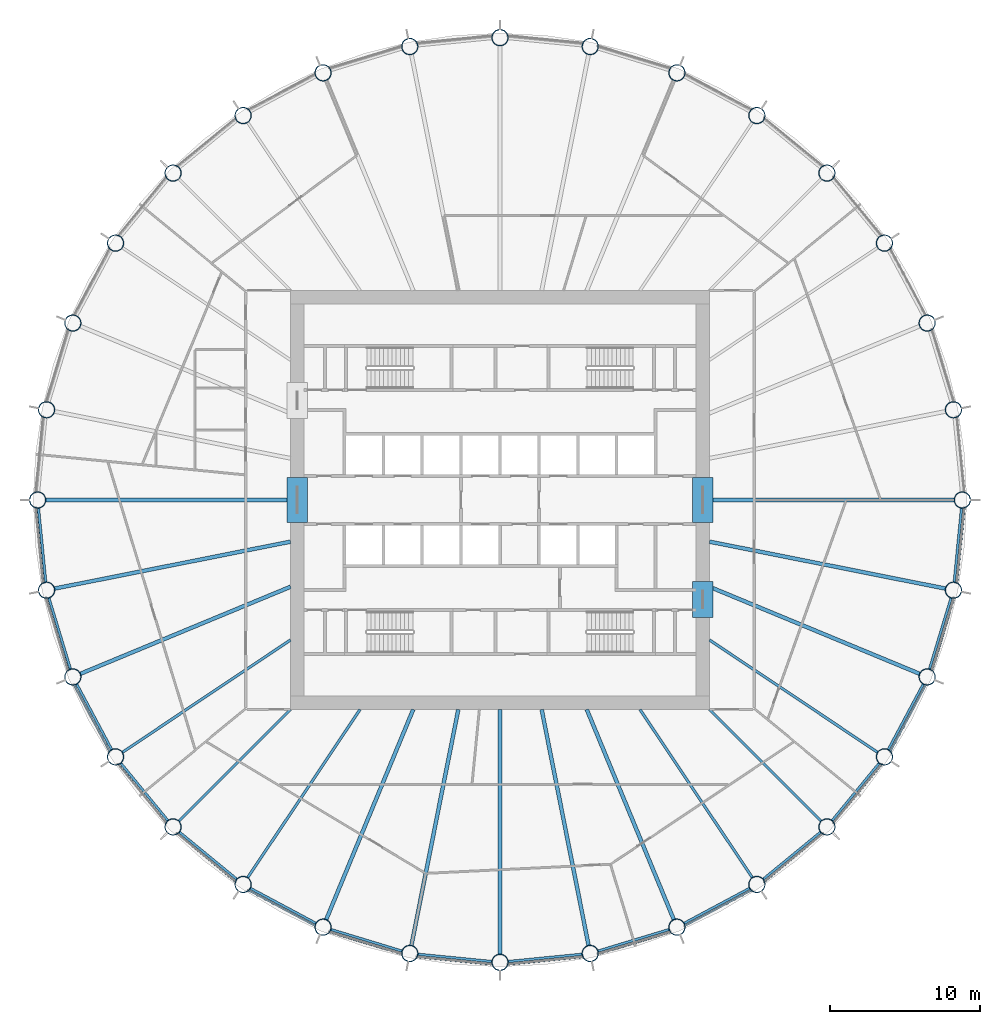
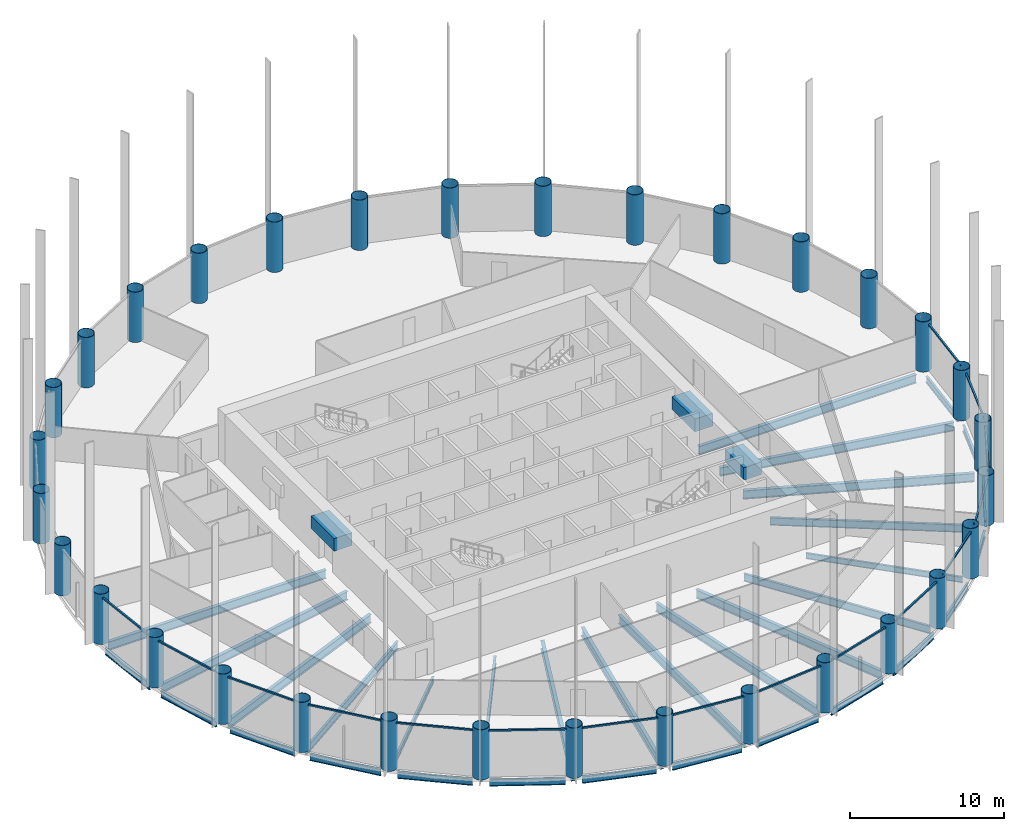
# One storey, part 1 of 9: 36 beams, 32 columns, 16 members, 16 elements without a shape of their own.
"""IFC4 building model written with IfcOpenShell, lengths in metres."""

import ifcopenshell
import ifcopenshell.guid

model = None  # the IFC model being written
_history = None  # IfcOwnerHistory: only IFC2X3 demands one
_inside = {}  # id of a spatial element -> (the spatial element, [elements in it])
_under = {}  # id of a project, library or spatial element -> (it, [spatial elements below it])
_declared = {}  # id of a project -> (the project, [libraries it declares])
_typed = {}  # id of a type object -> (the type object, [elements of that type])
_made_of = {}  # id of a material, layer set ... -> (it, [elements and type objects made of it])


def new_model(schema):
    """Start an empty IFC model of exactly this schema.

    Asked for "IFC4X3", IfcOpenShell would pick the latest addendum, in which some entities
    have other attributes; the version numbers below select the first issue.
    IFC2X3 requires an IfcOwnerHistory on every rooted entity: one is made here for all.
    """
    global model, _history
    if schema == "IFC4X3":
        model = ifcopenshell.file(schema_version=(4, 3, 0, 0))
    else:
        model = ifcopenshell.file(schema=schema)
    _inside.clear()
    _under.clear()
    _declared.clear()
    _typed.clear()
    _made_of.clear()
    _history = None
    if model.schema == "IFC2X3":
        org = make("IfcOrganization", Name="unknown")
        user = make(
            "IfcPersonAndOrganization",
            ThePerson=make("IfcPerson", FamilyName="unknown"),
            TheOrganization=org,
        )
        app = make(
            "IfcApplication",
            ApplicationDeveloper=org,
            Version="unknown",
            ApplicationFullName="unknown",
            ApplicationIdentifier="unknown",
        )
        _history = make(
            "IfcOwnerHistory",
            OwningUser=user,
            OwningApplication=app,
            ChangeAction="ADDED",
            CreationDate=0,
        )
    return model


def make(cls, **values):
    """One entity of the class cls with the attributes given. An attribute that is None is left unset."""
    return model.create_entity(
        cls, **{name: value for name, value in values.items() if value is not None}
    )


def rooted(cls, **values):
    """An entity with a GlobalId (a new one), such as an element, a storey or a relation."""
    return make(cls, GlobalId=ifcopenshell.guid.new(), OwnerHistory=_history, **values)


def si_unit(unit_type, name, prefix=None):
    """IfcSIUnit, for example si_unit("LENGTHUNIT", "METRE", prefix="MILLI")."""
    return make("IfcSIUnit", UnitType=unit_type, Prefix=prefix, Name=name)


def assignment(units):
    """IfcUnitAssignment: the units of a project."""
    return None if units is None else make("IfcUnitAssignment", Units=units)


def point(xyz):
    """IfcCartesianPoint."""
    return None if xyz is None else make("IfcCartesianPoint", Coordinates=xyz)


def direction(xyz):
    """IfcDirection."""
    return None if xyz is None else make("IfcDirection", DirectionRatios=xyz)


def frame(location, z_axis=None, x_axis=None):
    """IfcAxis2Placement3D, a coordinate frame: its origin and axes. An axis left out is left unset."""
    return make(
        "IfcAxis2Placement3D",
        Location=point(location),
        Axis=direction(z_axis),
        RefDirection=direction(x_axis),
    )


def frame_2d(location, x_axis=None):
    """IfcAxis2Placement2D, a coordinate frame in the plane: its origin and x axis."""
    return make(
        "IfcAxis2Placement2D", Location=point(location), RefDirection=direction(x_axis)
    )


def origin():
    """The frame at (0, 0, 0) with its axes left unset."""
    return frame((0.0, 0.0, 0.0))


def origin_2d():
    """The frame at (0, 0) in the plane with its x axis left unset."""
    return frame_2d((0.0, 0.0))


def place(relative_to, where):
    """IfcLocalPlacement: puts the frame where relative to a parent placement (None: the world)."""
    return make(
        "IfcLocalPlacement", PlacementRelTo=relative_to, RelativePlacement=where
    )


def context(
    kind, dimensions, precision=None, world=None, true_north=None, identifier=None
):
    """IfcGeometricRepresentationContext, for example the 3D "Model" context."""
    return make(
        "IfcGeometricRepresentationContext",
        ContextIdentifier=identifier,
        ContextType=kind,
        CoordinateSpaceDimension=dimensions,
        Precision=precision,
        WorldCoordinateSystem=world,
        TrueNorth=true_north,
    )


def subcontext(parent, identifier, kind, view, scale=None):
    """IfcGeometricRepresentationSubContext, for example "Body" below "Model"."""
    return make(
        "IfcGeometricRepresentationSubContext",
        ContextIdentifier=identifier,
        ContextType=kind,
        ParentContext=parent,
        TargetScale=scale,
        TargetView=view,
    )


def project(units=None, contexts=None):
    """IfcProject with its units and contexts."""
    return rooted(
        "IfcProject",
        Name="project",
        RepresentationContexts=contexts,
        UnitsInContext=assignment(units),
    )


def spatial(cls, under=None, at=None, **own):
    """A site, building, storey or space (cls), placed at a placement, below another one or the project."""
    s = rooted(cls, ObjectPlacement=at, **own)
    if under is not None:
        _under.setdefault(under.id(), (under, []))[1].append(s)
    return s


def profile(cls, at=None, kind="AREA", **sizes):
    """A parametric profile (cls). Its sizes go by their IFC names, for example OverallWidth=200.0."""
    return make(cls, ProfileType=kind, Position=at, **sizes)


def rectangle(**sizes):
    """IfcRectangleProfileDef."""
    return profile("IfcRectangleProfileDef", **sizes)


def hollow_circle(**sizes):
    """IfcCircleHollowProfileDef."""
    return profile("IfcCircleHollowProfileDef", **sizes)


def i_section(**sizes):
    """IfcIShapeProfileDef."""
    return profile("IfcIShapeProfileDef", **sizes)


def extrude(swept, where, along, depth):
    """IfcExtrudedAreaSolid: the profile swept, set in the frame where, extruded along a direction by depth."""
    return make(
        "IfcExtrudedAreaSolid",
        SweptArea=swept,
        Position=where,
        ExtrudedDirection=direction(along),
        Depth=depth,
    )


def shape(context_of_items, identifier, shape_type, items):
    """IfcShapeRepresentation: the items that make up one representation, for example the "Body"."""
    return make(
        "IfcShapeRepresentation",
        ContextOfItems=context_of_items,
        RepresentationIdentifier=identifier,
        RepresentationType=shape_type,
        Items=items,
    )


def material(Name=None, Category=None):
    """IfcMaterial."""
    return make("IfcMaterial", Name=Name, Category=Category)


def material_profile(
    of_material, cross_section, Name=None, Category=None, Priority=None
):
    """IfcMaterialProfile: a cross section and its material."""
    return make(
        "IfcMaterialProfile",
        Name=Name,
        Material=of_material,
        Profile=cross_section,
        Priority=Priority,
        Category=Category,
    )


def profile_set(profiles, Name=None, composite=None):
    """IfcMaterialProfileSet."""
    return make(
        "IfcMaterialProfileSet",
        Name=Name,
        MaterialProfiles=profiles,
        CompositeProfile=composite,
    )


def made_of(thing, what):
    """Note that an element or type object is made of a material, layer set ...; save() writes the relation."""
    if what is not None:
        _made_of.setdefault(what.id(), (what, []))[1].append(thing)
    return thing


def type_object(cls, material=None, **own):
    """A type object (cls), such as IfcWallType, which elements share."""
    return made_of(rooted(cls, **own), material)


def element(
    cls,
    number,
    at=None,
    inside=None,
    cuts=None,
    type_object=None,
    material=None,
    context=None,
    identifier="Body",
    shape_type=None,
    held_by="IfcProductDefinitionShape",
    body=None,
    shapes=None,
    **own,
):
    """One element of the class cls, such as IfcWall. Its Tag is "e" and its number.

    at: its placement. inside: the storey or other place that contains it. cuts: it is an
    opening in that element (IfcRelVoidsElement). A single representation is given by context,
    identifier, shape_type and body (its items); several are given by shapes. held_by: the class
    of the entity that holds the representations. save() writes the other relations.
    """
    e = rooted(cls, Tag="e%d" % number, ObjectPlacement=at, **own)
    if body is not None:
        shapes = [shape(context, identifier, shape_type, body)]
    if shapes is not None:
        e.Representation = make(held_by, Representations=shapes)
    if inside is not None:
        _inside.setdefault(inside.id(), (inside, []))[1].append(e)
    if cuts is not None:
        rooted(
            "IfcRelVoidsElement", RelatingBuildingElement=cuts, RelatedOpeningElement=e
        )
    if type_object is not None:
        _typed.setdefault(type_object.id(), (type_object, []))[1].append(e)
    return made_of(e, material)


def aggregate(whole, parts):
    """IfcRelAggregates: a whole, such as a stair, and the parts it consists of."""
    return rooted("IfcRelAggregates", RelatingObject=whole, RelatedObjects=parts)


def save(model, path):
    """Write the relations noted so far, then the file.

    IfcRelAggregates (storeys below a building ...), IfcRelContainedInSpatialStructure (elements
    in a storey), IfcRelDefinesByType, IfcRelAssociatesMaterial and IfcRelDeclares: one each for
    every whole, place, type object, material and project.
    """
    for whole, parts in _under.values():
        aggregate(whole, parts)
    for where, things in _inside.values():
        rooted(
            "IfcRelContainedInSpatialStructure",
            RelatedElements=things,
            RelatingStructure=where,
        )
    for kind, things in _typed.values():
        rooted("IfcRelDefinesByType", RelatedObjects=things, RelatingType=kind)
    for what, things in _made_of.values():
        rooted("IfcRelAssociatesMaterial", RelatedObjects=things, RelatingMaterial=what)
    for by, libraries in _declared.values():
        rooted("IfcRelDeclares", RelatingContext=by, RelatedDefinitions=libraries)
    model.write(path)


model = new_model("IFC4")

# Units and contexts
model_context = context("Model", 3, precision=1e-05, world=origin(), true_north=direction((0.0, 1.0)))
body_context = subcontext(model_context, "Body", "Model", "MODEL_VIEW")
ifc_project = project(units=[si_unit("LENGTHUNIT", "METRE"), si_unit("AREAUNIT", "SQUARE_METRE"), si_unit("VOLUMEUNIT", "CUBIC_METRE"), si_unit("PLANEANGLEUNIT", "RADIAN"), si_unit("MASSUNIT", "GRAM", prefix="KILO")], contexts=[model_context])

# Site, building, storey
site_placement = place(None, origin())
site = spatial("IfcSite", under=ifc_project, at=site_placement, CompositionType="ELEMENT")
building_placement = place(site_placement, origin())
building = spatial("IfcBuilding", under=site, at=building_placement, Name="Corvane Civic Tower", CompositionType="ELEMENT")
storey_placement = place(building_placement, frame((0.0, 0.0, 160.0)))
storey = spatial("IfcBuildingStorey", under=building, at=storey_placement, Name="L37", CompositionType="ELEMENT", Elevation=160.0)

# Columns
ifc_material_1 = material(Name="Steel ASTM A572 Gr 50", Category="steel")
ifc_material_profile_1 = material_profile(ifc_material_1, hollow_circle(Radius=0.550048828125, WallThickness=0.031982421875, at=origin_2d()), Name="CHS1100X32")
ifc_profile_set_1 = profile_set([ifc_material_profile_1], Name="Steel ASTM A572 Gr 50")
column_type = type_object("IfcColumnType", Name="COMPOSITE COLUMN CHS1100X32", PredefinedType="COLUMN", material=ifc_profile_set_1)
for number, where, z_axis, x_axis, name in (
    (1, (0.0, 30.89990234375, 0.0), (0.0, 0.0, 1.0), (1.0, 0.0, 0.0), "COL-L37-C01"),
    (2, (6.0283203125, 30.30615234375, 0.0), (0.0, 0.0, 1.0), (1.0, 0.0, 0.0), "COL-L37-C02"),
    (3, (11.824951171875, 28.5478515625, 0.0), (0.0, 0.0, 1.0), (1.0, 0.0, 0.0), "COL-L37-C03"),
    (4, (17.167236328125, 25.6923828125, 0.0), (0.0, 0.0, 1.0), (1.0, 0.0, 0.0), "COL-L37-C04"),
    (5, (21.849609375, 21.849609375, 0.0), (0.0, 0.0, 1.0), (1.0, 0.0, 0.0), "COL-L37-C05"),
    (6, (25.6923828125, 17.167236328125, 0.0), (0.0, 0.0, 1.0), (1.0, 0.0, 0.0), "COL-L37-C06"),
    (7, (28.5478515625, 11.824951171875, 0.0), (0.0, 0.0, 1.0), (1.0, 0.0, 0.0), "COL-L37-C07"),
    (8, (30.30615234375, 6.0283203125, 0.0), (0.0, 0.0, 1.0), (1.0, 0.0, 0.0), "COL-L37-C08"),
    (9, (30.89990234375, 0.0, 0.0), (0.0, 0.0, 1.0), (1.0, 0.0, 0.0), "COL-L37-C09"),
    (10, (30.30615234375, -6.0283203125, 0.0), (0.0, 0.0, 1.0), (1.0, 0.0, 0.0), "COL-L37-C10"),
    (11, (28.5478515625, -11.824951171875, 0.0), (0.0, 0.0, 1.0), (1.0, 0.0, 0.0), "COL-L37-C11"),
    (12, (25.6923828125, -17.167236328125, 0.0), (0.0, 0.0, 1.0), (1.0, 0.0, 0.0), "COL-L37-C12"),
    (13, (21.849609375, -21.849609375, 0.0), (0.0, 0.0, 1.0), (1.0, 0.0, 0.0), "COL-L37-C13"),
    (14, (17.167236328125, -25.6923828125, 0.0), (0.0, 0.0, 1.0), (1.0, 0.0, 0.0), "COL-L37-C14"),
    (15, (11.824951171875, -28.5478515625, 0.0), (0.0, 0.0, 1.0), (1.0, 0.0, 0.0), "COL-L37-C15"),
    (16, (6.0283203125, -30.30615234375, 0.0), (0.0, 0.0, 1.0), (1.0, 0.0, 0.0), "COL-L37-C16"),
    (17, (0.0, -30.89990234375, 0.0), (0.0, 0.0, 1.0), (1.0, 0.0, 0.0), "COL-L37-C17"),
    (18, (-6.0283203125, -30.30615234375, 0.0), (0.0, 0.0, 1.0), (1.0, 0.0, 0.0), "COL-L37-C18"),
    (19, (-11.824951171875, -28.5478515625, 0.0), (0.0, 0.0, 1.0), (1.0, 0.0, 0.0), "COL-L37-C19"),
    (20, (-17.167236328125, -25.6923828125, 0.0), (0.0, 0.0, 1.0), (1.0, 0.0, 0.0), "COL-L37-C20"),
    (21, (-21.849609375, -21.849609375, 0.0), (0.0, 0.0, 1.0), (1.0, 0.0, 0.0), "COL-L37-C21"),
    (22, (-25.6923828125, -17.167236328125, 0.0), (0.0, 0.0, 1.0), (1.0, 0.0, 0.0), "COL-L37-C22"),
    (23, (-28.5478515625, -11.824951171875, 0.0), (0.0, 0.0, 1.0), (1.0, 0.0, 0.0), "COL-L37-C23"),
    (24, (-30.30615234375, -6.0283203125, 0.0), (0.0, 0.0, 1.0), (1.0, 0.0, 0.0), "COL-L37-C24"),
    (25, (-30.89990234375, 0.0, 0.0), (0.0, 0.0, 1.0), (1.0, 0.0, 0.0), "COL-L37-C25"),
    (26, (-30.30615234375, 6.0283203125, 0.0), (0.0, 0.0, 1.0), (1.0, 0.0, 0.0), "COL-L37-C26"),
    (27, (-28.5478515625, 11.824951171875, 0.0), (0.0, 0.0, 1.0), (1.0, 0.0, 0.0), "COL-L37-C27"),
    (28, (-25.6923828125, 17.167236328125, 0.0), (0.0, 0.0, 1.0), (1.0, 0.0, 0.0), "COL-L37-C28"),
    (29, (-21.849609375, 21.849609375, 0.0), (0.0, 0.0, 1.0), (1.0, 0.0, 0.0), "COL-L37-C29"),
    (30, (-17.167236328125, 25.6923828125, 0.0), (0.0, 0.0, 1.0), (1.0, 0.0, 0.0), "COL-L37-C30"),
    (31, (-11.824951171875, 28.5478515625, 0.0), (0.0, 0.0, 1.0), (1.0, 0.0, 0.0), "COL-L37-C31"),
    (32, (-6.0283203125, 30.30615234375, 0.0), (0.0, 0.0, 1.0), (1.0, 0.0, 0.0), "COL-L37-C32"),
):
    element("IfcColumn", number, at=place(storey_placement, frame(where, z_axis=z_axis, x_axis=x_axis)), inside=storey, type_object=column_type, Name=name, PredefinedType="COLUMN", context=body_context, shape_type="SweptSolid", body=[
        extrude(hollow_circle(Radius=0.550048828125, WallThickness=0.031982421875, at=origin_2d()), origin(), (0.0, 0.0, 1.0), 4.0),
    ])

# Beams
ifc_material_2 = material(Name="Concrete C60/75", Category="concrete")
ifc_material_profile_2 = material_profile(ifc_material_2, rectangle(XDim=1.35009765625, YDim=1.0, at=origin_2d()), Name="COUPLING BEAM 1350X1000")
ifc_profile_set_2 = profile_set([ifc_material_profile_2], Name="Concrete C60/75")
beam_type_1 = type_object("IfcBeamType", Name="COUPLING BEAM COUPLING BEAM 1350X1000", PredefinedType="BEAM", material=ifc_profile_set_2)
for number, where, z_axis, x_axis, name in (
    (33, (-13.550048828125, -1.5, 2.60009765625), (0.0, 1.0, 0.0), (-1.0, 0.0, 0.0), "BM-L37-cpl-CW-LW"),
    (34, (13.550048828125, -1.5, 2.60009765625), (0.0, 1.0, 0.0), (-1.0, 0.0, 0.0), "BM-L37-cpl-CW-LE"),
):
    element("IfcBeam", number, at=place(storey_placement, frame(where, z_axis=z_axis, x_axis=x_axis)), inside=storey, type_object=beam_type_1, Name=name, PredefinedType="BEAM", context=body_context, shape_type="SweptSolid", body=[
        extrude(rectangle(XDim=1.35009765625, YDim=1.0, at=origin_2d()), origin(), (0.0, 0.0, 1.0), 3.0),
    ])
beam_1_placement = place(storey_placement, frame((13.550048828125, -7.85009765625, 2.60009765625), z_axis=(0.0, 1.0, 0.0), x_axis=(-1.0, 0.0, 0.0)))
element("IfcBeam", 35, at=beam_1_placement, inside=storey, type_object=beam_type_1, Name="BM-L37-cpl-CW-ES", PredefinedType="BEAM", context=body_context, shape_type="SweptSolid", body=[
    extrude(rectangle(XDim=1.35009765625, YDim=1.0, at=origin_2d()), origin(), (0.0, 0.0, 1.0), 2.400146484375),
])
ifc_material_3 = material(Name="Steel ASTM A992 Gr 50", Category="steel")
ifc_material_profile_3 = material_profile(ifc_material_3, i_section(OverallWidth=0.165771484375, OverallDepth=0.5283203125, WebThickness=0.009765625, FlangeThickness=0.013671875, at=origin_2d()), Name="W21X50")
ifc_profile_set_3 = profile_set([ifc_material_profile_3], Name="Steel ASTM A992 Gr 50")
beam_type_2 = type_object("IfcBeamType", Name="EDGE BEAM W21X50", PredefinedType="BEAM", material=ifc_profile_set_3)
beam_2_placement = place(storey_placement, frame((30.845947265625, -0.54736328125, -0.564208984375), z_axis=(-0.09800181167, -0.995186236294, 0.0), x_axis=(0.995186236294, -0.09800181167, 0.0)))
element("IfcBeam", 36, at=beam_2_placement, inside=storey, type_object=beam_type_2, Name="BM-L37-E09", PredefinedType="BEAM", context=body_context, shape_type="SweptSolid", body=[
    extrude(i_section(OverallWidth=0.165771484375, OverallDepth=0.5283203125, WebThickness=0.009765625, FlangeThickness=0.013671875, at=origin_2d()), origin(), (0.0, 0.0, 1.0), 4.95751953125),
])
beam_3_placement = place(storey_placement, frame((30.146484375, -6.5546875, -0.564208984375), z_axis=(-0.290269821381, -0.956944842086, 0.0), x_axis=(0.956944842086, -0.290269821381, 0.0)))
element("IfcBeam", 37, at=beam_3_placement, inside=storey, type_object=beam_type_2, Name="BM-L37-E10", PredefinedType="BEAM", context=body_context, shape_type="SweptSolid", body=[
    extrude(i_section(OverallWidth=0.165771484375, OverallDepth=0.5283203125, WebThickness=0.009765625, FlangeThickness=0.013671875, at=origin_2d()), origin(), (0.0, 0.0, 1.0), 4.957275390625),
])
for number, where, z_axis, x_axis, name in (
    (38, (28.28857421875, -12.31005859375, -0.564208984375), (-0.471395763042, -0.881921784846, 0.0), (0.881921784846, -0.471395763042, 0.0), "BM-L37-E11"),
    (39, (25.343505859375, -17.59228515625, -0.564208984375), (-0.634387546532, -0.77301516208, 0.0), (0.77301516208, -0.634387546532, 0.0), "BM-L37-E12"),
    (40, (21.424560546875, -22.198486328125, -0.564208984375), (-0.77301516208, -0.634387546532, 0.0), (0.634387546532, -0.77301516208, 0.0), "BM-L37-E13"),
    (41, (16.68212890625, -25.95166015625, -0.564208984375), (-0.881921784846, -0.471395763042, 0.0), (0.471395763042, -0.881921784846, 0.0), "BM-L37-E14"),
):
    element("IfcBeam", number, at=place(storey_placement, frame(where, z_axis=z_axis, x_axis=x_axis)), inside=storey, type_object=beam_type_2, Name=name, PredefinedType="BEAM", context=body_context, shape_type="SweptSolid", body=[
        extrude(i_section(OverallWidth=0.165771484375, OverallDepth=0.5283203125, WebThickness=0.009765625, FlangeThickness=0.013671875, at=origin_2d()), origin(), (0.0, 0.0, 1.0), 4.95751953125),
    ])
beam_4_placement = place(storey_placement, frame((11.298583984375, -28.70751953125, -0.564208984375), z_axis=(-0.956944842086, -0.290269821381, 0.0), x_axis=(0.290269821381, -0.956944842086, 0.0)))
element("IfcBeam", 42, at=beam_4_placement, inside=storey, type_object=beam_type_2, Name="BM-L37-E15", PredefinedType="BEAM", context=body_context, shape_type="SweptSolid", body=[
    extrude(i_section(OverallWidth=0.165771484375, OverallDepth=0.5283203125, WebThickness=0.009765625, FlangeThickness=0.013671875, at=origin_2d()), origin(), (0.0, 0.0, 1.0), 4.957275390625),
])
for number, where, z_axis, x_axis, name in (
    (43, (5.48095703125, -30.360107421875, -0.564208984375), (-0.995186236294, -0.09800181167, 0.0), (0.09800181167, -0.995186236294, 0.0), "BM-L37-E16"),
    (44, (-0.54736328125, -30.845947265625, -0.564208984375), (-0.995186236294, 0.09800181167, 0.0), (-0.09800181167, -0.995186236294, 0.0), "BM-L37-E17"),
):
    element("IfcBeam", number, at=place(storey_placement, frame(where, z_axis=z_axis, x_axis=x_axis)), inside=storey, type_object=beam_type_2, Name=name, PredefinedType="BEAM", context=body_context, shape_type="SweptSolid", body=[
        extrude(i_section(OverallWidth=0.165771484375, OverallDepth=0.5283203125, WebThickness=0.009765625, FlangeThickness=0.013671875, at=origin_2d()), origin(), (0.0, 0.0, 1.0), 4.95751953125),
    ])
beam_5_placement = place(storey_placement, frame((-6.5546875, -30.146484375, -0.564208984375), z_axis=(-0.956944842086, 0.290269821381, 0.0), x_axis=(-0.290269821381, -0.956944842086, 0.0)))
element("IfcBeam", 45, at=beam_5_placement, inside=storey, type_object=beam_type_2, Name="BM-L37-E18", PredefinedType="BEAM", context=body_context, shape_type="SweptSolid", body=[
    extrude(i_section(OverallWidth=0.165771484375, OverallDepth=0.5283203125, WebThickness=0.009765625, FlangeThickness=0.013671875, at=origin_2d()), origin(), (0.0, 0.0, 1.0), 4.957275390625),
])
for number, where, z_axis, x_axis, name in (
    (46, (-12.31005859375, -28.28857421875, -0.564208984375), (-0.881921784846, 0.471395763042, 0.0), (-0.471395763042, -0.881921784846, 0.0), "BM-L37-E19"),
    (47, (-17.59228515625, -25.343505859375, -0.564208984375), (-0.77301516208, 0.634387546532, 0.0), (-0.634387546532, -0.77301516208, 0.0), "BM-L37-E20"),
    (48, (-22.198486328125, -21.424560546875, -0.564208984375), (-0.634387546532, 0.77301516208, 0.0), (-0.77301516208, -0.634387546532, 0.0), "BM-L37-E21"),
    (49, (-25.95166015625, -16.68212890625, -0.564208984375), (-0.471395763042, 0.881921784846, 0.0), (-0.881921784846, -0.471395763042, 0.0), "BM-L37-E22"),
):
    element("IfcBeam", number, at=place(storey_placement, frame(where, z_axis=z_axis, x_axis=x_axis)), inside=storey, type_object=beam_type_2, Name=name, PredefinedType="BEAM", context=body_context, shape_type="SweptSolid", body=[
        extrude(i_section(OverallWidth=0.165771484375, OverallDepth=0.5283203125, WebThickness=0.009765625, FlangeThickness=0.013671875, at=origin_2d()), origin(), (0.0, 0.0, 1.0), 4.95751953125),
    ])
beam_6_placement = place(storey_placement, frame((-28.70751953125, -11.298583984375, -0.564208984375), z_axis=(-0.290269821381, 0.956944842086, 0.0), x_axis=(-0.956944842086, -0.290269821381, 0.0)))
element("IfcBeam", 50, at=beam_6_placement, inside=storey, type_object=beam_type_2, Name="BM-L37-E23", PredefinedType="BEAM", context=body_context, shape_type="SweptSolid", body=[
    extrude(i_section(OverallWidth=0.165771484375, OverallDepth=0.5283203125, WebThickness=0.009765625, FlangeThickness=0.013671875, at=origin_2d()), origin(), (0.0, 0.0, 1.0), 4.957275390625),
])
beam_7_placement = place(storey_placement, frame((-30.360107421875, -5.48095703125, -0.564208984375), z_axis=(-0.09800181167, 0.995186236294, 0.0), x_axis=(-0.995186236294, -0.09800181167, 0.0)))
element("IfcBeam", 51, at=beam_7_placement, inside=storey, type_object=beam_type_2, Name="BM-L37-E24", PredefinedType="BEAM", context=body_context, shape_type="SweptSolid", body=[
    extrude(i_section(OverallWidth=0.165771484375, OverallDepth=0.5283203125, WebThickness=0.009765625, FlangeThickness=0.013671875, at=origin_2d()), origin(), (0.0, 0.0, 1.0), 4.95751953125),
])
ifc_material_4 = material(Name="Steel ASTM A992 Gr 50", Category="steel")
ifc_material_profile_4 = material_profile(ifc_material_4, i_section(OverallWidth=0.15283203125, OverallDepth=0.45458984375, WebThickness=0.008056640625, FlangeThickness=0.013427734375, at=origin_2d()), Name="W18X40")
ifc_profile_set_4 = profile_set([ifc_material_profile_4], Name="Steel ASTM A992 Gr 50")
beam_type_3 = type_object("IfcBeamType", Name="FLOOR GIRDER W18X40", PredefinedType="BEAM", material=ifc_profile_set_4)
for number, where, z_axis, x_axis, name in (
    (52, (14.0, -14.0, -0.52734375), (0.707106781187, -0.707106781187, 0.0), (0.707106781187, 0.707106781187, 0.0), "BM-L37-G13"),
    (53, (-14.0, -14.0, -0.52734375), (-0.707106781187, -0.707106781187, 0.0), (0.707106781187, -0.707106781187, 0.0), "BM-L37-G21"),
):
    element("IfcBeam", number, at=place(storey_placement, frame(where, z_axis=z_axis, x_axis=x_axis)), inside=storey, type_object=beam_type_3, Name=name, PredefinedType="BEAM", context=body_context, shape_type="SweptSolid", body=[
        extrude(i_section(OverallWidth=0.15283203125, OverallDepth=0.45458984375, WebThickness=0.008056640625, FlangeThickness=0.013427734375, at=origin_2d()), origin(), (0.0, 0.0, 1.0), 10.551025390625),
    ])
ifc_material_5 = material(Name="Steel ASTM A992 Gr 50", Category="steel")
ifc_material_profile_5 = material_profile(ifc_material_5, i_section(OverallWidth=0.177978515625, OverallDepth=0.599365234375, WebThickness=0.010009765625, FlangeThickness=0.012939453125, at=origin_2d()), Name="W24X55")
ifc_profile_set_5 = profile_set([ifc_material_profile_5], Name="Steel ASTM A992 Gr 50")
beam_type_4 = type_object("IfcBeamType", Name="FLOOR GIRDER W24X55", PredefinedType="BEAM", material=ifc_profile_set_5)
for number, where, z_axis, x_axis, name in (
    (54, (14.0, -9.3544921875, -0.599609375), (0.83146888399, -0.555571323015, 0.0), (0.555571323015, 0.83146888399, 0.0), "BM-L37-G12"),
    (55, (9.3544921875, -14.0, -0.599609375), (0.555571323015, -0.83146888399, 0.0), (0.83146888399, 0.555571323015, 0.0), "BM-L37-G14"),
    (56, (-9.3544921875, -14.0, -0.599609375), (-0.555571323015, -0.83146888399, 0.0), (0.83146888399, -0.555571323015, 0.0), "BM-L37-G20"),
    (57, (-14.0, -9.3544921875, -0.599609375), (-0.83146888399, -0.555571323015, 0.0), (0.555571323015, -0.83146888399, 0.0), "BM-L37-G22"),
):
    element("IfcBeam", number, at=place(storey_placement, frame(where, z_axis=z_axis, x_axis=x_axis)), inside=storey, type_object=beam_type_4, Name=name, PredefinedType="BEAM", context=body_context, shape_type="SweptSolid", body=[
        extrude(i_section(OverallWidth=0.177978515625, OverallDepth=0.599365234375, WebThickness=0.010009765625, FlangeThickness=0.012939453125, at=origin_2d()), origin(), (0.0, 0.0, 1.0), 13.512451171875),
    ])
ifc_material_6 = material(Name="Steel ASTM A992 Gr 50", Category="steel")
ifc_material_profile_6 = material_profile(ifc_material_6, i_section(OverallWidth=0.25390625, OverallDepth=0.67822265625, WebThickness=0.01171875, FlangeThickness=0.016357421875, at=origin_2d()), Name="W27X84")
ifc_profile_set_6 = profile_set([ifc_material_profile_6], Name="Steel ASTM A992 Gr 50")
beam_type_5 = type_object("IfcBeamType", Name="FLOOR GIRDER W27X84", PredefinedType="BEAM", material=ifc_profile_set_6)
beam_8_placement = place(storey_placement, frame((14.0, 0.0, -0.63916015625), z_axis=(1.0, 0.0, 0.0), x_axis=(0.0, 1.0, 0.0)))
element("IfcBeam", 58, at=beam_8_placement, inside=storey, type_object=beam_type_5, Name="BM-L37-G09", PredefinedType="BEAM", context=body_context, shape_type="SweptSolid", body=[
    extrude(i_section(OverallWidth=0.25390625, OverallDepth=0.67822265625, WebThickness=0.01171875, FlangeThickness=0.016357421875, at=origin_2d()), origin(), (0.0, 0.0, 1.0), 16.35009765625),
])
beam_9_placement = place(storey_placement, frame((14.0, -2.78466796875, -0.63916015625), z_axis=(0.980785162999, -0.195090912248, 0.0), x_axis=(0.195090912248, 0.980785162999, 0.0)))
element("IfcBeam", 59, at=beam_9_placement, inside=storey, type_object=beam_type_5, Name="BM-L37-G10", PredefinedType="BEAM", context=body_context, shape_type="SweptSolid", body=[
    extrude(i_section(OverallWidth=0.25390625, OverallDepth=0.67822265625, WebThickness=0.01171875, FlangeThickness=0.016357421875, at=origin_2d()), origin(), (0.0, 0.0, 1.0), 16.07568359375),
])
for number, where, z_axis, x_axis, name in (
    (60, (14.0, -5.799072265625, -0.63916015625), (0.923880551114, -0.38268097323, 0.0), (0.38268097323, 0.923880551114, 0.0), "BM-L37-G11"),
    (61, (5.799072265625, -14.0, -0.63916015625), (0.38268097323, -0.923880551114, 0.0), (0.923880551114, 0.38268097323, 0.0), "BM-L37-G15"),
):
    element("IfcBeam", number, at=place(storey_placement, frame(where, z_axis=z_axis, x_axis=x_axis)), inside=storey, type_object=beam_type_5, Name=name, PredefinedType="BEAM", context=body_context, shape_type="SweptSolid", body=[
        extrude(i_section(OverallWidth=0.25390625, OverallDepth=0.67822265625, WebThickness=0.01171875, FlangeThickness=0.016357421875, at=origin_2d()), origin(), (0.0, 0.0, 1.0), 15.196533203125),
    ])
beam_10_placement = place(storey_placement, frame((2.78466796875, -14.0, -0.63916015625), z_axis=(0.195090912248, -0.980785162999, 0.0), x_axis=(0.980785162999, 0.195090912248, 0.0)))
element("IfcBeam", 62, at=beam_10_placement, inside=storey, type_object=beam_type_5, Name="BM-L37-G16", PredefinedType="BEAM", context=body_context, shape_type="SweptSolid", body=[
    extrude(i_section(OverallWidth=0.25390625, OverallDepth=0.67822265625, WebThickness=0.01171875, FlangeThickness=0.016357421875, at=origin_2d()), origin(), (0.0, 0.0, 1.0), 16.07568359375),
])
beam_11_placement = place(storey_placement, frame((0.0, -14.0, -0.63916015625), z_axis=(0.0, -1.0, 0.0), x_axis=(1.0, 0.0, 0.0)))
element("IfcBeam", 63, at=beam_11_placement, inside=storey, type_object=beam_type_5, Name="BM-L37-G17", PredefinedType="BEAM", context=body_context, shape_type="SweptSolid", body=[
    extrude(i_section(OverallWidth=0.25390625, OverallDepth=0.67822265625, WebThickness=0.01171875, FlangeThickness=0.016357421875, at=origin_2d()), origin(), (0.0, 0.0, 1.0), 16.35009765625),
])
beam_12_placement = place(storey_placement, frame((-2.78466796875, -14.0, -0.63916015625), z_axis=(-0.195090912248, -0.980785162999, 0.0), x_axis=(0.980785162999, -0.195090912248, 0.0)))
element("IfcBeam", 64, at=beam_12_placement, inside=storey, type_object=beam_type_5, Name="BM-L37-G18", PredefinedType="BEAM", context=body_context, shape_type="SweptSolid", body=[
    extrude(i_section(OverallWidth=0.25390625, OverallDepth=0.67822265625, WebThickness=0.01171875, FlangeThickness=0.016357421875, at=origin_2d()), origin(), (0.0, 0.0, 1.0), 16.07568359375),
])
for number, where, z_axis, x_axis, name in (
    (65, (-5.799072265625, -14.0, -0.63916015625), (-0.38268097323, -0.923880551114, 0.0), (0.923880551114, -0.38268097323, 0.0), "BM-L37-G19"),
    (66, (-14.0, -5.799072265625, -0.63916015625), (-0.923880551114, -0.38268097323, 0.0), (0.38268097323, -0.923880551114, 0.0), "BM-L37-G23"),
):
    element("IfcBeam", number, at=place(storey_placement, frame(where, z_axis=z_axis, x_axis=x_axis)), inside=storey, type_object=beam_type_5, Name=name, PredefinedType="BEAM", context=body_context, shape_type="SweptSolid", body=[
        extrude(i_section(OverallWidth=0.25390625, OverallDepth=0.67822265625, WebThickness=0.01171875, FlangeThickness=0.016357421875, at=origin_2d()), origin(), (0.0, 0.0, 1.0), 15.196533203125),
    ])
beam_13_placement = place(storey_placement, frame((-14.0, -2.78466796875, -0.63916015625), z_axis=(-0.980785162999, -0.195090912248, 0.0), x_axis=(0.195090912248, -0.980785162999, 0.0)))
element("IfcBeam", 67, at=beam_13_placement, inside=storey, type_object=beam_type_5, Name="BM-L37-G24", PredefinedType="BEAM", context=body_context, shape_type="SweptSolid", body=[
    extrude(i_section(OverallWidth=0.25390625, OverallDepth=0.67822265625, WebThickness=0.01171875, FlangeThickness=0.016357421875, at=origin_2d()), origin(), (0.0, 0.0, 1.0), 16.07568359375),
])
beam_14_placement = place(storey_placement, frame((-14.0, 0.0, -0.63916015625), z_axis=(-1.0, 0.0, 0.0), x_axis=(0.0, -1.0, 0.0)))
element("IfcBeam", 68, at=beam_14_placement, inside=storey, type_object=beam_type_5, Name="BM-L37-G25", PredefinedType="BEAM", context=body_context, shape_type="SweptSolid", body=[
    extrude(i_section(OverallWidth=0.25390625, OverallDepth=0.67822265625, WebThickness=0.01171875, FlangeThickness=0.016357421875, at=origin_2d()), origin(), (0.0, 0.0, 1.0), 16.35009765625),
])

# Curtain wall, member
ifc_material_7 = material(Name="Anodised aluminium bronze", Category="aluminium")
curtain_wall_type = type_object("IfcCurtainWallType", Name="TOWER CW-T2 STICK CURTAIN WALL", PredefinedType="NOTDEFINED", material=ifc_material_7)
curtain_wall_1_placement = place(storey_placement, origin())
curtain_wall_1 = element("IfcCurtainWall", 69, at=curtain_wall_1_placement, inside=storey, type_object=curtain_wall_type, Name="Curtain wall CW-T2 L37 bay 09", PredefinedType="NOTDEFINED")
ifc_material_8 = material(Name="Anodised aluminium bronze", Category="aluminium")
ifc_material_profile_7 = material_profile(ifc_material_8, rectangle(XDim=0.1201171875, YDim=0.1201171875, at=origin_2d()), Name="TOWER CW-T2 TRANSOM 120x120")
ifc_profile_set_7 = profile_set([ifc_material_profile_7], Name="Anodised aluminium bronze")
member_type = type_object("IfcMemberType", Name="TOWER CW-T2 TRANSOM 120x120", PredefinedType="USERDEFINED", material=ifc_profile_set_7)
member_1_placement = place(storey_placement, frame((31.0302734375, -0.505126953125, 3.68994140625), z_axis=(-0.097989755963, -0.995187423416, 0.0), x_axis=(0.995187423416, -0.097989755963, 0.0)))
member_1 = element("IfcMember", 70, at=member_1_placement, type_object=member_type, Name="Transom CW-T2 L37 09.1", ObjectType="TRANSOM", PredefinedType="USERDEFINED", context=body_context, shape_type="SweptSolid", body=[
    extrude(rectangle(XDim=0.1201171875, YDim=0.1201171875, at=origin_2d()), origin(), (0.0, 0.0, 1.0), 5.07763671875),
])
aggregate(curtain_wall_1, [member_1])

curtain_wall_2_placement = place(storey_placement, origin())
curtain_wall_2 = element("IfcCurtainWall", 71, at=curtain_wall_2_placement, inside=storey, type_object=curtain_wall_type, Name="Curtain wall CW-T2 L37 bay 10", PredefinedType="NOTDEFINED")
member_2_placement = place(storey_placement, frame((30.33544921875, -6.54931640625, 3.68994140625), z_axis=(-0.290288977061, -0.956939031389, 0.0), x_axis=(0.956939031389, -0.290288977061, 0.0)))
member_2 = element("IfcMember", 72, at=member_2_placement, type_object=member_type, Name="Transom CW-T2 L37 10.1", ObjectType="TRANSOM", PredefinedType="USERDEFINED", context=body_context, shape_type="SweptSolid", body=[
    extrude(rectangle(XDim=0.1201171875, YDim=0.1201171875, at=origin_2d()), origin(), (0.0, 0.0, 1.0), 5.077392578125),
])
aggregate(curtain_wall_2, [member_2])

curtain_wall_3_placement = place(storey_placement, origin())
curtain_wall_3 = element("IfcCurtainWall", 73, at=curtain_wall_3_placement, inside=storey, type_object=curtain_wall_type, Name="Curtain wall CW-T2 L37 bay 11", PredefinedType="NOTDEFINED")
member_3_placement = place(storey_placement, frame((28.474853515625, -12.341552734375, 3.68994140625), z_axis=(-0.471396615074, -0.881921329426, 0.0), x_axis=(0.881921329426, -0.471396615074, 0.0)))
member_3 = element("IfcMember", 74, at=member_3_placement, type_object=member_type, Name="Transom CW-T2 L37 11.1", ObjectType="TRANSOM", PredefinedType="USERDEFINED", context=body_context, shape_type="SweptSolid", body=[
    extrude(rectangle(XDim=0.1201171875, YDim=0.1201171875, at=origin_2d()), origin(), (0.0, 0.0, 1.0), 5.07763671875),
])
aggregate(curtain_wall_3, [member_3])

curtain_wall_4_placement = place(storey_placement, origin())
curtain_wall_4 = element("IfcCurtainWall", 75, at=curtain_wall_4_placement, inside=storey, type_object=curtain_wall_type, Name="Curtain wall CW-T2 L37 bay 12", PredefinedType="NOTDEFINED")
member_4_placement = place(storey_placement, frame((25.519775390625, -17.65966796875, 3.68994140625), z_axis=(-0.634386611146, -0.773015929719, 0.0), x_axis=(0.773015929719, -0.634386611146, 0.0)))
member_4 = element("IfcMember", 76, at=member_4_placement, type_object=member_type, Name="Transom CW-T2 L37 12.1", ObjectType="TRANSOM", PredefinedType="USERDEFINED", context=body_context, shape_type="SweptSolid", body=[
    extrude(rectangle(XDim=0.1201171875, YDim=0.1201171875, at=origin_2d()), origin(), (0.0, 0.0, 1.0), 5.0771484375),
])
aggregate(curtain_wall_4, [member_4])

curtain_wall_5_placement = place(storey_placement, origin())
curtain_wall_5 = element("IfcCurtainWall", 77, at=curtain_wall_5_placement, inside=storey, type_object=curtain_wall_type, Name="Curtain wall CW-T2 L37 bay 13", PredefinedType="NOTDEFINED")
member_5_placement = place(storey_placement, frame((21.58447265625, -22.298828125, 3.68994140625), z_axis=(-0.773015929719, -0.634386611146, 0.0), x_axis=(0.634386611146, -0.773015929719, 0.0)))
member_5 = element("IfcMember", 78, at=member_5_placement, type_object=member_type, Name="Transom CW-T2 L37 13.1", ObjectType="TRANSOM", PredefinedType="USERDEFINED", context=body_context, shape_type="SweptSolid", body=[
    extrude(rectangle(XDim=0.1201171875, YDim=0.1201171875, at=origin_2d()), origin(), (0.0, 0.0, 1.0), 5.0771484375),
])
aggregate(curtain_wall_5, [member_5])

curtain_wall_6_placement = place(storey_placement, origin())
curtain_wall_6 = element("IfcCurtainWall", 79, at=curtain_wall_6_placement, inside=storey, type_object=curtain_wall_type, Name="Curtain wall CW-T2 L37 bay 14", PredefinedType="NOTDEFINED")
member_6_placement = place(storey_placement, frame((16.819580078125, -26.081298828125, 3.68994140625), z_axis=(-0.881921329426, -0.471396615074, 0.0), x_axis=(0.471396615074, -0.881921329426, 0.0)))
member_6 = element("IfcMember", 80, at=member_6_placement, type_object=member_type, Name="Transom CW-T2 L37 14.1", ObjectType="TRANSOM", PredefinedType="USERDEFINED", context=body_context, shape_type="SweptSolid", body=[
    extrude(rectangle(XDim=0.1201171875, YDim=0.1201171875, at=origin_2d()), origin(), (0.0, 0.0, 1.0), 5.07763671875),
])
aggregate(curtain_wall_6, [member_6])

curtain_wall_7_placement = place(storey_placement, origin())
curtain_wall_7 = element("IfcCurtainWall", 81, at=curtain_wall_7_placement, inside=storey, type_object=curtain_wall_type, Name="Curtain wall CW-T2 L37 bay 15", PredefinedType="NOTDEFINED")
member_7_placement = place(storey_placement, frame((11.407958984375, -28.861572265625, 3.68994140625), z_axis=(-0.956939031389, -0.290288977061, 0.0), x_axis=(0.290288977061, -0.956939031389, 0.0)))
member_7 = element("IfcMember", 82, at=member_7_placement, type_object=member_type, Name="Transom CW-T2 L37 15.1", ObjectType="TRANSOM", PredefinedType="USERDEFINED", context=body_context, shape_type="SweptSolid", body=[
    extrude(rectangle(XDim=0.1201171875, YDim=0.1201171875, at=origin_2d()), origin(), (0.0, 0.0, 1.0), 5.077392578125),
])
aggregate(curtain_wall_7, [member_7])

curtain_wall_8_placement = place(storey_placement, origin())
curtain_wall_8 = element("IfcCurtainWall", 83, at=curtain_wall_8_placement, inside=storey, type_object=curtain_wall_type, Name="Curtain wall CW-T2 L37 bay 16", PredefinedType="NOTDEFINED")
member_8_placement = place(storey_placement, frame((5.558349609375, -30.53271484375, 3.68994140625), z_axis=(-0.995187423416, -0.097989755963, 0.0), x_axis=(0.097989755963, -0.995187423416, 0.0)))
member_8 = element("IfcMember", 84, at=member_8_placement, type_object=member_type, Name="Transom CW-T2 L37 16.1", ObjectType="TRANSOM", PredefinedType="USERDEFINED", context=body_context, shape_type="SweptSolid", body=[
    extrude(rectangle(XDim=0.1201171875, YDim=0.1201171875, at=origin_2d()), origin(), (0.0, 0.0, 1.0), 5.07763671875),
])
aggregate(curtain_wall_8, [member_8])

curtain_wall_9_placement = place(storey_placement, origin())
curtain_wall_9 = element("IfcCurtainWall", 85, at=curtain_wall_9_placement, inside=storey, type_object=curtain_wall_type, Name="Curtain wall CW-T2 L37 bay 17", PredefinedType="NOTDEFINED")
member_9_placement = place(storey_placement, frame((-0.505126953125, -31.0302734375, 3.68994140625), z_axis=(-0.995187423416, 0.097989755963, 0.0), x_axis=(-0.097989755963, -0.995187423416, 0.0)))
member_9 = element("IfcMember", 86, at=member_9_placement, type_object=member_type, Name="Transom CW-T2 L37 17.1", ObjectType="TRANSOM", PredefinedType="USERDEFINED", context=body_context, shape_type="SweptSolid", body=[
    extrude(rectangle(XDim=0.1201171875, YDim=0.1201171875, at=origin_2d()), origin(), (0.0, 0.0, 1.0), 5.07763671875),
])
aggregate(curtain_wall_9, [member_9])

curtain_wall_10_placement = place(storey_placement, origin())
curtain_wall_10 = element("IfcCurtainWall", 87, at=curtain_wall_10_placement, inside=storey, type_object=curtain_wall_type, Name="Curtain wall CW-T2 L37 bay 18", PredefinedType="NOTDEFINED")
member_10_placement = place(storey_placement, frame((-6.54931640625, -30.33544921875, 3.68994140625), z_axis=(-0.956939031389, 0.290288977061, 0.0), x_axis=(-0.290288977061, -0.956939031389, 0.0)))
member_10 = element("IfcMember", 88, at=member_10_placement, type_object=member_type, Name="Transom CW-T2 L37 18.1", ObjectType="TRANSOM", PredefinedType="USERDEFINED", context=body_context, shape_type="SweptSolid", body=[
    extrude(rectangle(XDim=0.1201171875, YDim=0.1201171875, at=origin_2d()), origin(), (0.0, 0.0, 1.0), 5.077392578125),
])
aggregate(curtain_wall_10, [member_10])

curtain_wall_11_placement = place(storey_placement, origin())
curtain_wall_11 = element("IfcCurtainWall", 89, at=curtain_wall_11_placement, inside=storey, type_object=curtain_wall_type, Name="Curtain wall CW-T2 L37 bay 19", PredefinedType="NOTDEFINED")
member_11_placement = place(storey_placement, frame((-12.341552734375, -28.474853515625, 3.68994140625), z_axis=(-0.881921329426, 0.471396615074, 0.0), x_axis=(-0.471396615074, -0.881921329426, 0.0)))
member_11 = element("IfcMember", 90, at=member_11_placement, type_object=member_type, Name="Transom CW-T2 L37 19.1", ObjectType="TRANSOM", PredefinedType="USERDEFINED", context=body_context, shape_type="SweptSolid", body=[
    extrude(rectangle(XDim=0.1201171875, YDim=0.1201171875, at=origin_2d()), origin(), (0.0, 0.0, 1.0), 5.07763671875),
])
aggregate(curtain_wall_11, [member_11])

curtain_wall_12_placement = place(storey_placement, origin())
curtain_wall_12 = element("IfcCurtainWall", 91, at=curtain_wall_12_placement, inside=storey, type_object=curtain_wall_type, Name="Curtain wall CW-T2 L37 bay 20", PredefinedType="NOTDEFINED")
member_12_placement = place(storey_placement, frame((-17.65966796875, -25.519775390625, 3.68994140625), z_axis=(-0.773015929719, 0.634386611146, 0.0), x_axis=(-0.634386611146, -0.773015929719, 0.0)))
member_12 = element("IfcMember", 92, at=member_12_placement, type_object=member_type, Name="Transom CW-T2 L37 20.1", ObjectType="TRANSOM", PredefinedType="USERDEFINED", context=body_context, shape_type="SweptSolid", body=[
    extrude(rectangle(XDim=0.1201171875, YDim=0.1201171875, at=origin_2d()), origin(), (0.0, 0.0, 1.0), 5.0771484375),
])
aggregate(curtain_wall_12, [member_12])

curtain_wall_13_placement = place(storey_placement, origin())
curtain_wall_13 = element("IfcCurtainWall", 93, at=curtain_wall_13_placement, inside=storey, type_object=curtain_wall_type, Name="Curtain wall CW-T2 L37 bay 21", PredefinedType="NOTDEFINED")
member_13_placement = place(storey_placement, frame((-22.298828125, -21.58447265625, 3.68994140625), z_axis=(-0.634386611146, 0.773015929719, 0.0), x_axis=(-0.773015929719, -0.634386611146, 0.0)))
member_13 = element("IfcMember", 94, at=member_13_placement, type_object=member_type, Name="Transom CW-T2 L37 21.1", ObjectType="TRANSOM", PredefinedType="USERDEFINED", context=body_context, shape_type="SweptSolid", body=[
    extrude(rectangle(XDim=0.1201171875, YDim=0.1201171875, at=origin_2d()), origin(), (0.0, 0.0, 1.0), 5.0771484375),
])
aggregate(curtain_wall_13, [member_13])

curtain_wall_14_placement = place(storey_placement, origin())
curtain_wall_14 = element("IfcCurtainWall", 95, at=curtain_wall_14_placement, inside=storey, type_object=curtain_wall_type, Name="Curtain wall CW-T2 L37 bay 22", PredefinedType="NOTDEFINED")
member_14_placement = place(storey_placement, frame((-26.081298828125, -16.819580078125, 3.68994140625), z_axis=(-0.471396615074, 0.881921329426, 0.0), x_axis=(-0.881921329426, -0.471396615074, 0.0)))
member_14 = element("IfcMember", 96, at=member_14_placement, type_object=member_type, Name="Transom CW-T2 L37 22.1", ObjectType="TRANSOM", PredefinedType="USERDEFINED", context=body_context, shape_type="SweptSolid", body=[
    extrude(rectangle(XDim=0.1201171875, YDim=0.1201171875, at=origin_2d()), origin(), (0.0, 0.0, 1.0), 5.07763671875),
])
aggregate(curtain_wall_14, [member_14])

curtain_wall_15_placement = place(storey_placement, origin())
curtain_wall_15 = element("IfcCurtainWall", 97, at=curtain_wall_15_placement, inside=storey, type_object=curtain_wall_type, Name="Curtain wall CW-T2 L37 bay 23", PredefinedType="NOTDEFINED")
member_15_placement = place(storey_placement, frame((-28.861572265625, -11.407958984375, 3.68994140625), z_axis=(-0.290288977061, 0.956939031389, 0.0), x_axis=(-0.956939031389, -0.290288977061, 0.0)))
member_15 = element("IfcMember", 98, at=member_15_placement, type_object=member_type, Name="Transom CW-T2 L37 23.1", ObjectType="TRANSOM", PredefinedType="USERDEFINED", context=body_context, shape_type="SweptSolid", body=[
    extrude(rectangle(XDim=0.1201171875, YDim=0.1201171875, at=origin_2d()), origin(), (0.0, 0.0, 1.0), 5.077392578125),
])
aggregate(curtain_wall_15, [member_15])

curtain_wall_16_placement = place(storey_placement, origin())
curtain_wall_16 = element("IfcCurtainWall", 99, at=curtain_wall_16_placement, inside=storey, type_object=curtain_wall_type, Name="Curtain wall CW-T2 L37 bay 24", PredefinedType="NOTDEFINED")
member_16_placement = place(storey_placement, frame((-30.53271484375, -5.558349609375, 3.68994140625), z_axis=(-0.097989755963, 0.995187423416, 0.0), x_axis=(-0.995187423416, -0.097989755963, 0.0)))
member_16 = element("IfcMember", 100, at=member_16_placement, type_object=member_type, Name="Transom CW-T2 L37 24.1", ObjectType="TRANSOM", PredefinedType="USERDEFINED", context=body_context, shape_type="SweptSolid", body=[
    extrude(rectangle(XDim=0.1201171875, YDim=0.1201171875, at=origin_2d()), origin(), (0.0, 0.0, 1.0), 5.07763671875),
])
aggregate(curtain_wall_16, [member_16])

save(model, "model.ifc")
